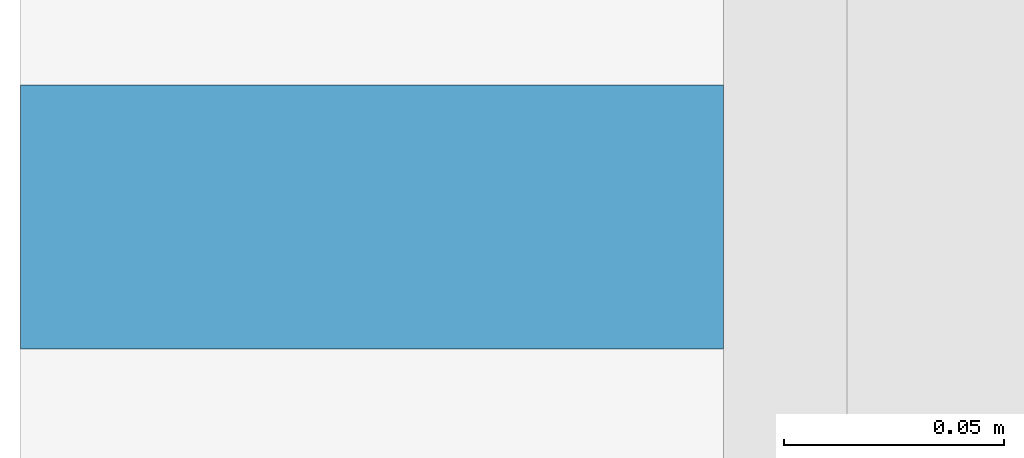
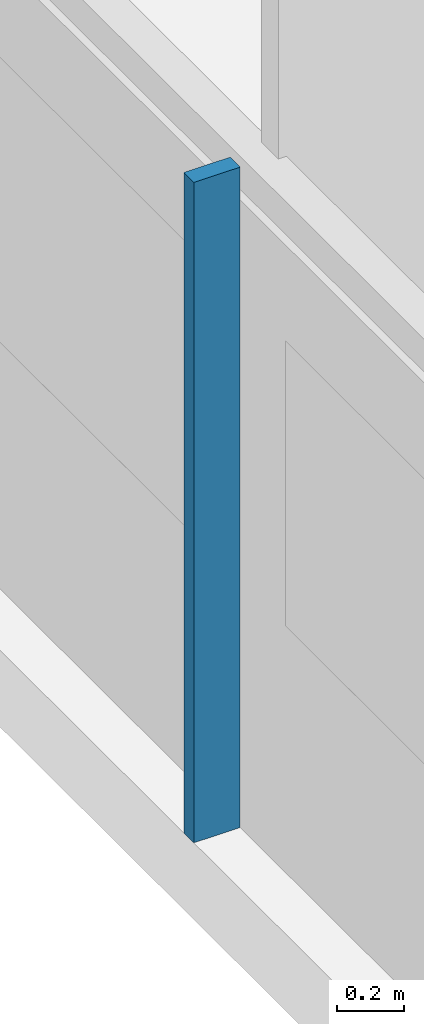
# One storey, part 4 of 25: 1 member, 1 element without a shape of its own.
"""IFC4 building model written with IfcOpenShell, lengths in metres."""

from ifc_helpers import new_model, si_unit, direction, frame, origin, origin_2d, place, context, subcontext, project, spatial, rectangle, extrude, material, material_profile, profile_set, type_object, element, aggregate, save


model = new_model("IFC4")

# Units and contexts
model_context = context("Model", 3, precision=1e-05, world=origin(), true_north=direction((0.0, 1.0)))
body_context = subcontext(model_context, "Body", "Model", "MODEL_VIEW")
ifc_project = project(units=[si_unit("LENGTHUNIT", "METRE"), si_unit("AREAUNIT", "SQUARE_METRE"), si_unit("VOLUMEUNIT", "CUBIC_METRE"), si_unit("PLANEANGLEUNIT", "RADIAN"), si_unit("MASSUNIT", "GRAM", prefix="KILO")], contexts=[model_context])

# Site, building, storey
site_placement = place(None, origin())
site = spatial("IfcSite", under=ifc_project, at=site_placement, CompositionType="ELEMENT")
building_placement = place(site_placement, origin())
building = spatial("IfcBuilding", under=site, at=building_placement, Name="Saffron Gate Tower", CompositionType="ELEMENT")
storey_placement = place(building_placement, frame((0.0, 0.0, 248.699951171875)))
storey = spatial("IfcBuildingStorey", under=building, at=storey_placement, Name="L61", CompositionType="ELEMENT", Elevation=248.699951171875)

# Curtain wall, member
ifc_material = material(Name="Aluminium, bronze anodised", Category="aluminium")
curtain_wall_type = type_object("IfcCurtainWallType", Name="CWS2 curtain wall side facades", PredefinedType="NOTDEFINED", material=ifc_material)
curtain_wall_placement = place(storey_placement, origin())
curtain_wall = element("IfcCurtainWall", 1, at=curtain_wall_placement, inside=storey, type_object=curtain_wall_type, Name="CWS2 run 10", PredefinedType="NOTDEFINED")
ifc_material_profile = material_profile(ifc_material, rectangle(XDim=0.159912109375, YDim=0.06005859375, at=origin_2d()))
ifc_profile_set = profile_set([ifc_material_profile], Name="Aluminium, bronze anodised")
member_type = type_object("IfcMemberType", Name="CWS2 mullion 60x160", PredefinedType="MULLION", material=ifc_profile_set)
member_placement = place(storey_placement, frame((48.080078125, 48.60009765625, 0.0), z_axis=(0.0, 0.0, 1.0), x_axis=(1.0, 0.0, 0.0)))
member = element("IfcMember", 2, at=member_placement, type_object=member_type, Name="CWS2 mullion 4", PredefinedType="MULLION", context=body_context, shape_type="SweptSolid", body=[
    extrude(rectangle(XDim=0.159912109375, YDim=0.06005859375, at=origin_2d()), origin(), (0.0, 0.0, 1.0), 2.41015625),
])
aggregate(curtain_wall, [member])

save(model, "model.ifc")
